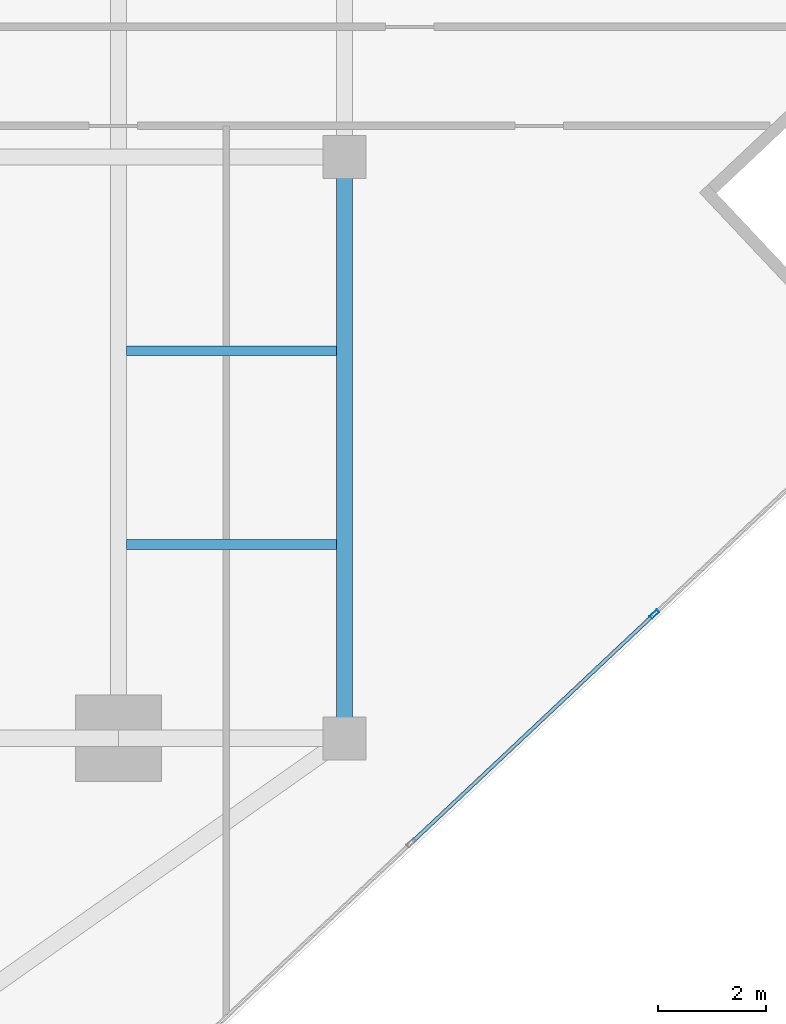
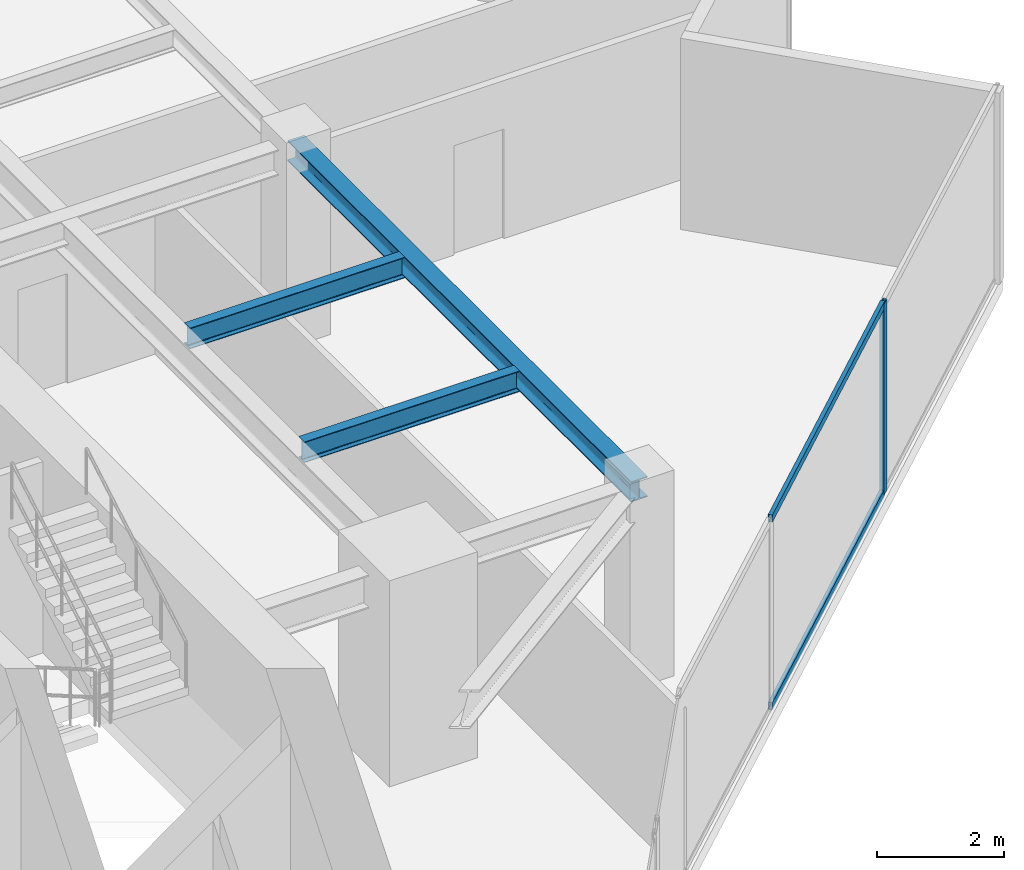
# One storey, part 10 of 25: 3 beams, 3 members, 1 element without a shape of its own.
"""IFC4 building model written with IfcOpenShell, lengths in metres."""

from ifc_helpers import new_model, si_unit, direction, frame, origin, origin_2d, place, context, subcontext, project, spatial, hollow_rectangle, i_section, extrude, source, transform, mapped, material, material_profile, profile_set, type_object, type_shapes, element, aggregate, save


model = new_model("IFC4")

# Units and contexts
model_context = context("Model", 3, precision=1e-05, world=origin(), true_north=direction((0.0, 1.0)))
body_context = subcontext(model_context, "Body", "Model", "MODEL_VIEW")
ifc_project = project(units=[si_unit("LENGTHUNIT", "METRE"), si_unit("AREAUNIT", "SQUARE_METRE"), si_unit("VOLUMEUNIT", "CUBIC_METRE"), si_unit("PLANEANGLEUNIT", "RADIAN"), si_unit("MASSUNIT", "GRAM", prefix="KILO")], contexts=[model_context])

# Site, building, storey
site_placement = place(None, origin())
site = spatial("IfcSite", under=ifc_project, at=site_placement, CompositionType="ELEMENT")
building_placement = place(site_placement, origin())
building = spatial("IfcBuilding", under=site, at=building_placement, Name="Krantzveldt Concourse Tower", CompositionType="ELEMENT")
storey_placement = place(building_placement, frame((0.0, 0.0, 238.89990234375)))
storey = spatial("IfcBuildingStorey", under=building, at=storey_placement, Name="L58", CompositionType="ELEMENT", Elevation=238.89990234375)

# Beams
ifc_material_1 = material(Name="Steel S355JR", Category="steel")
ifc_material_profile_1 = material_profile(ifc_material_1, i_section(OverallWidth=0.300048828125, OverallDepth=0.389892578125, WebThickness=0.010986328125, FlangeThickness=0.01904296875, FilletRadius=0.027099609375, at=origin_2d()), Name="Steel S355JR", Category="steel")
ifc_profile_set_1 = profile_set([ifc_material_profile_1], Name="Steel S355JR - HEA 400")
beam_type_1 = type_object("IfcBeamType", Name="BM-SP-HEA400", PredefinedType="SPANDREL", material=ifc_profile_set_1)
shared_shape_1 = source(origin(), body_context, "Body", "SweptSolid", [
    extrude(i_section(OverallWidth=0.300048828125, OverallDepth=0.389892578125, WebThickness=0.010986328125, FlangeThickness=0.01904296875, FilletRadius=0.027099609375, at=origin_2d()), origin(), (0.0, 0.0, 1.0), 10.800048828125),
])
type_shapes(beam_type_1, [shared_shape_1])
beam_placement = place(storey_placement, frame((51.0, 26.699951171875, 3.47509765625), z_axis=(0.0, -1.0, 0.0), x_axis=(1.0, 0.0, 0.0)))
element("IfcBeam", 1, at=beam_placement, inside=storey, type_object=beam_type_1, Name="L58 Tower Girder SP-R07", PredefinedType="SPANDREL", context=body_context, shape_type="MappedRepresentation", body=[
    mapped(shared_shape_1, transform((0.0, 0.0, 0.0), x_axis=(1.0, 0.0, 0.0), y_axis=(0.0, 1.0, 0.0), z_axis=(0.0, 0.0, 1.0), scale=1.0)),
])
ifc_material_profile_2 = material_profile(ifc_material_1, i_section(OverallWidth=0.179931640625, OverallDepth=0.39990234375, WebThickness=0.008544921875, FlangeThickness=0.013427734375, FilletRadius=0.02099609375, at=origin_2d()), Name="Steel S355JR", Category="steel")
ifc_profile_set_2 = profile_set([ifc_material_profile_2], Name="Steel S355JR - IPE 400")
beam_type_2 = type_object("IfcBeamType", Name="BM-J-IPE400", PredefinedType="JOIST", material=ifc_profile_set_2)
shared_shape_2 = source(origin(), body_context, "Body", "SweptSolid", [
    extrude(i_section(OverallWidth=0.179931640625, OverallDepth=0.39990234375, WebThickness=0.008544921875, FlangeThickness=0.013427734375, FilletRadius=0.02099609375, at=origin_2d()), origin(), (0.0, 0.0, 1.0), 3.900146484375),
])
type_shapes(beam_type_2, [shared_shape_2])
for number, where, z_axis, x_axis, name in (
    (2, (46.949951171875, 19.5, 3.47021484375), (1.0, 0.0, 0.0), (0.0, 1.0, 0.0), "L58 Secondary Floor Joist JE-1"),
    (3, (46.949951171875, 23.10009765625, 3.47021484375), (1.0, 0.0, 0.0), (0.0, 1.0, 0.0), "L58 Secondary Floor Joist JE-2"),
):
    element("IfcBeam", number, at=place(storey_placement, frame(where, z_axis=z_axis, x_axis=x_axis)), inside=storey, type_object=beam_type_2, Name=name, PredefinedType="JOIST", context=body_context, shape_type="MappedRepresentation", body=[
        mapped(shared_shape_2, transform((0.0, 0.0, 0.0), x_axis=(1.0, 0.0, 0.0), y_axis=(0.0, 1.0, 0.0), z_axis=(0.0, 0.0, 1.0), scale=1.0)),
    ])

# Curtain wall, members
ifc_material_2 = material(Name="Anodised aluminium 6063-T6", Category="aluminium")
curtain_wall_type = type_object("IfcCurtainWallType", Name="CW3", PredefinedType="USERDEFINED", material=ifc_material_2)
curtain_wall_placement = place(storey_placement, origin())
curtain_wall = element("IfcCurtainWall", 4, at=curtain_wall_placement, inside=storey, type_object=curtain_wall_type, Name="CW-L58-F11", ObjectType="UNITISED CURTAIN WALL", PredefinedType="USERDEFINED")
ifc_material_profile_3 = material_profile(ifc_material_2, hollow_rectangle(XDim=0.070068359375, YDim=0.179931640625, WallThickness=0.0048828125, at=origin_2d()), Name="Anodised aluminium 6063-T6", Category="aluminium")
ifc_profile_set_3 = profile_set([ifc_material_profile_3], Name="Anodised aluminium 6063-T6 - ALU-MULL 180x70x5")
member_type_1 = type_object("IfcMemberType", Name="CW-MUL-180", PredefinedType="MULLION", material=ifc_profile_set_3)
shared_shape_3 = source(origin(), body_context, "Body", "SweptSolid", [
    extrude(hollow_rectangle(XDim=0.070068359375, YDim=0.179931640625, WallThickness=0.0048828125, at=origin_2d()), origin(), (0.0, 0.0, 1.0), 3.670166015625),
])
type_shapes(member_type_1, [shared_shape_3])
member_1_placement = place(storey_placement, frame((56.758544921875, 18.2060546875, 0.0), z_axis=(0.0, 0.0, 1.0), x_axis=(-0.685182945184, 0.728371012348, 0.0)))
member_1 = element("IfcMember", 5, at=member_1_placement, type_object=member_type_1, Name="CW-Z34 mullion 5", PredefinedType="MULLION", context=body_context, shape_type="MappedRepresentation", body=[
    mapped(shared_shape_3, transform((0.0, 0.0, 0.0), x_axis=(1.0, 0.0, 0.0), y_axis=(0.0, 1.0, 0.0), z_axis=(0.0, 0.0, 1.0), scale=1.0)),
])
ifc_material_profile_4 = material_profile(ifc_material_2, hollow_rectangle(XDim=0.070068359375, YDim=0.139892578125, WallThickness=0.0048828125, at=origin_2d()), Name="Anodised aluminium 6063-T6", Category="aluminium")
ifc_profile_set_4 = profile_set([ifc_material_profile_4], Name="Anodised aluminium 6063-T6 - ALU-TRAN 140x70x5")
member_type_2 = type_object("IfcMemberType", Name="CW-TRN-150", PredefinedType="USERDEFINED", material=ifc_profile_set_4)
shared_shape_4 = source(origin(), body_context, "Body", "SweptSolid", [
    extrude(hollow_rectangle(XDim=0.070068359375, YDim=0.139892578125, WallThickness=0.0048828125, at=origin_2d()), origin(), (0.0, 0.0, 1.0), 6.1298828125),
])
type_shapes(member_type_2, [shared_shape_4])
member_2_placement = place(storey_placement, frame((52.26806640625, 13.98193359375, 0.03515625), z_axis=(0.72836366623, 0.685190754255, 0.0), x_axis=(-0.685190754255, 0.72836366623, 0.0)))
member_2 = element("IfcMember", 6, at=member_2_placement, type_object=member_type_2, Name="CW-Z34 transom 4.1", ObjectType="TRANSOM", PredefinedType="USERDEFINED", context=body_context, shape_type="MappedRepresentation", body=[
    mapped(shared_shape_4, transform((0.0, 0.0, 0.0), x_axis=(1.0, 0.0, 0.0), y_axis=(0.0, 1.0, 0.0), z_axis=(0.0, 0.0, 1.0), scale=1.0)),
])
member_3_placement = place(storey_placement, frame((52.26806640625, 13.98193359375, 3.635009765625), z_axis=(0.72836366623, 0.685190754255, 0.0), x_axis=(-0.685190754255, 0.72836366623, 0.0)))
member_3 = element("IfcMember", 7, at=member_3_placement, type_object=member_type_2, Name="CW-Z34 transom 4.2", ObjectType="TRANSOM", PredefinedType="USERDEFINED", context=body_context, shape_type="MappedRepresentation", body=[
    mapped(shared_shape_4, transform((0.0, 0.0, 0.0), x_axis=(1.0, 0.0, 0.0), y_axis=(0.0, 1.0, 0.0), z_axis=(0.0, 0.0, 1.0), scale=1.0)),
])
aggregate(curtain_wall, [member_1, member_2, member_3])

save(model, "model.ifc")
